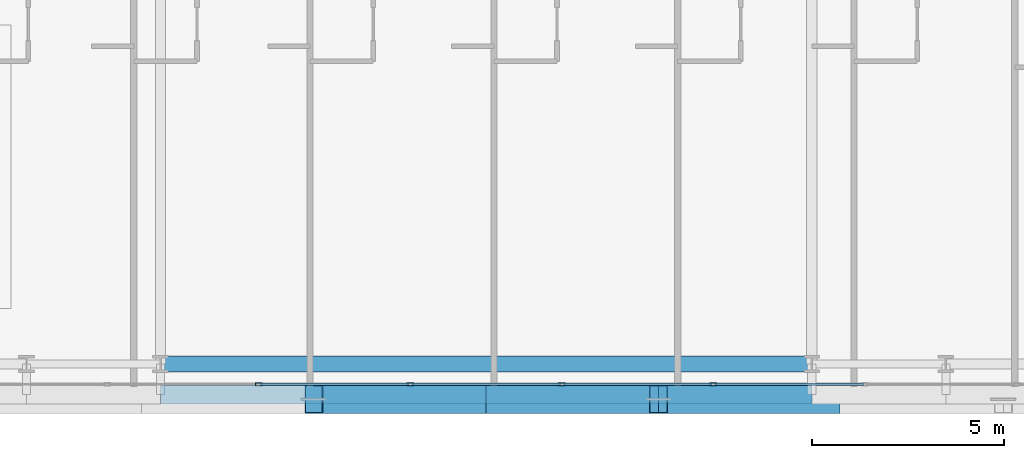
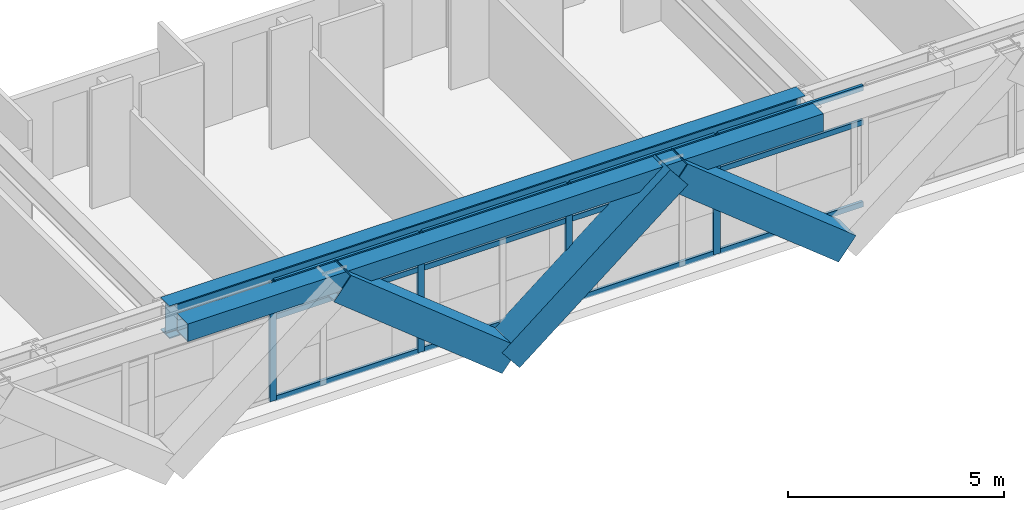
# One storey, part 5 of 36: 19 members, 2 beams, 1 element without a shape of its own.
"""IFC4 building model written with IfcOpenShell, lengths in metres."""

from ifc_helpers import new_model, si_unit, direction, frame, origin, origin_2d, place, context, subcontext, project, spatial, hollow_rectangle, i_section, extrude, source, transform, mapped, material, layer, layer_set, material_profile, profile_set, type_object, element, aggregate, save


model = new_model("IFC4")

# Units and contexts
model_context = context("Model", 3, precision=1e-05, world=origin(), true_north=direction((0.0, 1.0)))
body_context = subcontext(model_context, "Body", "Model", "MODEL_VIEW")
ifc_project = project(units=[si_unit("LENGTHUNIT", "METRE"), si_unit("AREAUNIT", "SQUARE_METRE"), si_unit("VOLUMEUNIT", "CUBIC_METRE"), si_unit("PLANEANGLEUNIT", "RADIAN"), si_unit("MASSUNIT", "GRAM", prefix="KILO")], contexts=[model_context])

# Site, building, storey
site_placement = place(None, origin())
site = spatial("IfcSite", under=ifc_project, at=site_placement, CompositionType="ELEMENT")
building_placement = place(site_placement, origin())
building = spatial("IfcBuilding", under=site, at=building_placement, Name="Ocotamira Hotel", CompositionType="ELEMENT")
storey_placement = place(building_placement, frame((0.0, 0.0, 97.199951171875)))
storey = spatial("IfcBuildingStorey", under=building, at=storey_placement, Name="L23", CompositionType="ELEMENT", Elevation=97.199951171875)

# Beams
ifc_material_1 = material(Name="Steel ASTM A992 Grade 50", Category="steel")
ifc_material_profile_1 = material_profile(ifc_material_1, i_section(OverallWidth=0.41796875, OverallDepth=0.927001953125, WebThickness=0.019287109375, FlangeThickness=0.031982421875, FilletRadius=0.02392578125, at=origin_2d()), Name="W36X231")
ifc_profile_set_1 = profile_set([ifc_material_profile_1], Name="Steel ASTM A992 Grade 50")
beam_type_1 = type_object("IfcBeamType", Name="BM-GIRD-W36X231", PredefinedType="BEAM", material=ifc_profile_set_1)
shared_shape_1 = source(origin(), body_context, "Body", "SweptSolid", [
    extrude(i_section(OverallWidth=0.41796875, OverallDepth=0.927001953125, WebThickness=0.019287109375, FlangeThickness=0.031982421875, FilletRadius=0.02392578125, at=origin_2d()), origin(), (0.0, 0.0, 1.0), 17.0),
])
beam_1_placement = place(storey_placement, frame((23.5, 2.949951171875, 2.896484375), z_axis=(1.0, 0.0, 0.0), x_axis=(0.0, 1.0, 0.0)))
element("IfcBeam", 1, at=beam_1_placement, inside=storey, type_object=beam_type_1, Name="L23 Girder Y2.95 X23.5-40.5", PredefinedType="BEAM", context=body_context, shape_type="MappedRepresentation", body=[
    mapped(shared_shape_1, transform((0.0, 0.0, 0.0), scale=1.0)),
])
ifc_material_2 = material(Name="Steel ASTM A500 Grade C", Category="steel")
ifc_material_profile_2 = material_profile(ifc_material_2, hollow_rectangle(XDim=0.5, YDim=0.5, WallThickness=0.02001953125, at=origin_2d()), Name="HSS500X500X20")
ifc_profile_set_2 = profile_set([ifc_material_profile_2], Name="Steel ASTM A500 Grade C")
beam_type_2 = type_object("IfcBeamType", Name="BM-SPAN-HSS500", PredefinedType="USERDEFINED", material=ifc_profile_set_2)
shared_shape_2 = source(origin(), body_context, "Body", "SweptSolid", [
    extrude(hollow_rectangle(XDim=0.5, YDim=0.5, WallThickness=0.02001953125, at=origin_2d()), origin(), (0.0, 0.0, 1.0), 17.0),
])
beam_2_placement = place(storey_placement, frame((23.5, 2.14990234375, 3.110107421875), z_axis=(1.0, 0.0, 0.0), x_axis=(0.0, 1.0, 0.0)))
element("IfcBeam", 2, at=beam_2_placement, inside=storey, type_object=beam_type_2, Name="L23 Edge Spandrel S X23.5-40.5", ObjectType="SPANDREL", PredefinedType="USERDEFINED", context=body_context, shape_type="MappedRepresentation", body=[
    mapped(shared_shape_2, transform((0.0, 0.0, 0.0), scale=1.0)),
])

# Members
ifc_material_3 = material(Name="Pale-metal coated steel ASTM A913 Grade 65", Category="steel")
ifc_material_profile_3 = material_profile(ifc_material_3, hollow_rectangle(XDim=0.75, YDim=0.75, WallThickness=0.028076171875, at=origin_2d()), Name="BOX750X750X28")
ifc_profile_set_3 = profile_set([ifc_material_profile_3], Name="Pale-metal coated steel ASTM A913 Grade 65")
member_type_1 = type_object("IfcMemberType", Name="MEM-EXO-BOX750", PredefinedType="BRACE", material=ifc_profile_set_3)
shared_shape_3 = source(origin(), body_context, "Body", "SweptSolid", [
    extrude(hollow_rectangle(XDim=0.75, YDim=0.75, WallThickness=0.028076171875, at=origin_2d()), origin(), (0.0, 0.0, 1.0), 5.762939453125),
])
for number, where, z_axis, x_axis, name in (
    (3, (32.0, 2.030029296875, -0.489990234375), (-0.780860543151, 0.0, 0.624705380279), (0.0, -1.0, 0.0), "L23 Exoskeleton Diagrid S1.2"),
    (4, (32.0, 2.030029296875, -0.489990234375), (0.780860543151, 0.0, 0.624705380279), (0.0, 1.0, 0.0), "L23 Exoskeleton Diagrid S2.1"),
    (5, (41.0, 2.030029296875, -0.489990234375), (-0.780860543151, 0.0, 0.624705380279), (0.0, -1.0, 0.0), "L23 Exoskeleton Diagrid S2.2"),
):
    element("IfcMember", number, at=place(storey_placement, frame(where, z_axis=z_axis, x_axis=x_axis)), inside=storey, type_object=member_type_1, Name=name, PredefinedType="BRACE", context=body_context, shape_type="MappedRepresentation", body=[
        mapped(shared_shape_3, transform((0.0, 0.0, 0.0), scale=1.0)),
    ])

# Curtain wall, members
ifc_material_4 = material(Name="Anodised pale-metal aluminium and solar glass", Category="aluminium")
ifc_layer = layer(ifc_material_4, 0.179931640625)
ifc_layer_set = layer_set([ifc_layer], Name="Anodised pale-metal aluminium and solar glass")
curtain_wall_type = type_object("IfcCurtainWallType", Name="CW-SYS3-Z2", PredefinedType="NOTDEFINED", material=ifc_layer_set)
curtain_wall_placement = place(storey_placement, origin())
curtain_wall = element("IfcCurtainWall", 6, at=curtain_wall_placement, inside=storey, type_object=curtain_wall_type, Name="L23 Curtain Wall CW-3 CW-L23-S1", PredefinedType="NOTDEFINED")
ifc_material_5 = material(Name="Anodised pale-metal aluminium 6063-T6", Category="aluminium")
ifc_material_profile_4 = material_profile(ifc_material_5, hollow_rectangle(XDim=0.074951171875, YDim=0.14990234375, WallThickness=0.006103515625, at=origin_2d()), Name="HSS150X75X6")
ifc_profile_set_4 = profile_set([ifc_material_profile_4], Name="Anodised pale-metal aluminium 6063-T6")
member_type_2 = type_object("IfcMemberType", Name="CWT-150X75", PredefinedType="USERDEFINED", material=ifc_profile_set_4)
shared_shape_4 = source(origin(), body_context, "Body", "SweptSolid", [
    extrude(hollow_rectangle(XDim=0.074951171875, YDim=0.14990234375, WallThickness=0.006103515625, at=origin_2d()), origin(), (0.0, 0.0, 1.0), 3.87548828125),
])
member_1_placement = place(storey_placement, frame((26.106689453125, 2.419921875, 0.03759765625), z_axis=(1.0, 0.0, 0.0), x_axis=(0.0, 1.0, 0.0)))
member_1 = element("IfcMember", 7, at=member_1_placement, type_object=member_type_2, Name="CW-3 transom 4.1", ObjectType="TRANSOM", PredefinedType="USERDEFINED", context=body_context, shape_type="MappedRepresentation", body=[
    mapped(shared_shape_4, transform((0.0, 0.0, 0.0), scale=1.0)),
])
member_2_placement = place(storey_placement, frame((26.106689453125, 2.419921875, 2.35009765625), z_axis=(1.0, 0.0, 0.0), x_axis=(0.0, 1.0, 0.0)))
member_2 = element("IfcMember", 8, at=member_2_placement, type_object=member_type_2, Name="CW-3 transom 4.2", ObjectType="TRANSOM", PredefinedType="USERDEFINED", context=body_context, shape_type="MappedRepresentation", body=[
    mapped(shared_shape_4, transform((0.0, 0.0, 0.0), scale=1.0)),
])
member_3_placement = place(storey_placement, frame((26.106689453125, 2.419921875, 3.322509765625), z_axis=(1.0, 0.0, 0.0), x_axis=(0.0, 1.0, 0.0)))
member_3 = element("IfcMember", 9, at=member_3_placement, type_object=member_type_2, Name="CW-3 transom 4.3", ObjectType="TRANSOM", PredefinedType="USERDEFINED", context=body_context, shape_type="MappedRepresentation", body=[
    mapped(shared_shape_4, transform((0.0, 0.0, 0.0), scale=1.0)),
])
member_4_placement = place(storey_placement, frame((30.062255859375, 2.419921875, 0.03759765625), z_axis=(1.0, 0.0, 0.0), x_axis=(0.0, 1.0, 0.0)))
member_4 = element("IfcMember", 10, at=member_4_placement, type_object=member_type_2, Name="CW-3 transom 5.1", ObjectType="TRANSOM", PredefinedType="USERDEFINED", context=body_context, shape_type="MappedRepresentation", body=[
    mapped(shared_shape_4, transform((0.0, 0.0, 0.0), scale=1.0)),
])
member_5_placement = place(storey_placement, frame((30.062255859375, 2.419921875, 2.35009765625), z_axis=(1.0, 0.0, 0.0), x_axis=(0.0, 1.0, 0.0)))
member_5 = element("IfcMember", 11, at=member_5_placement, type_object=member_type_2, Name="CW-3 transom 5.2", ObjectType="TRANSOM", PredefinedType="USERDEFINED", context=body_context, shape_type="MappedRepresentation", body=[
    mapped(shared_shape_4, transform((0.0, 0.0, 0.0), scale=1.0)),
])
member_6_placement = place(storey_placement, frame((30.062255859375, 2.419921875, 3.322509765625), z_axis=(1.0, 0.0, 0.0), x_axis=(0.0, 1.0, 0.0)))
member_6 = element("IfcMember", 12, at=member_6_placement, type_object=member_type_2, Name="CW-3 transom 5.3", ObjectType="TRANSOM", PredefinedType="USERDEFINED", context=body_context, shape_type="MappedRepresentation", body=[
    mapped(shared_shape_4, transform((0.0, 0.0, 0.0), scale=1.0)),
])
member_7_placement = place(storey_placement, frame((34.017822265625, 2.419921875, 0.03759765625), z_axis=(1.0, 0.0, 0.0), x_axis=(0.0, 1.0, 0.0)))
member_7 = element("IfcMember", 13, at=member_7_placement, type_object=member_type_2, Name="CW-3 transom 6.1", ObjectType="TRANSOM", PredefinedType="USERDEFINED", context=body_context, shape_type="MappedRepresentation", body=[
    mapped(shared_shape_4, transform((0.0, 0.0, 0.0), scale=1.0)),
])
member_8_placement = place(storey_placement, frame((34.017822265625, 2.419921875, 2.35009765625), z_axis=(1.0, 0.0, 0.0), x_axis=(0.0, 1.0, 0.0)))
member_8 = element("IfcMember", 14, at=member_8_placement, type_object=member_type_2, Name="CW-3 transom 6.2", ObjectType="TRANSOM", PredefinedType="USERDEFINED", context=body_context, shape_type="MappedRepresentation", body=[
    mapped(shared_shape_4, transform((0.0, 0.0, 0.0), scale=1.0)),
])
member_9_placement = place(storey_placement, frame((34.017822265625, 2.419921875, 3.322509765625), z_axis=(1.0, 0.0, 0.0), x_axis=(0.0, 1.0, 0.0)))
member_9 = element("IfcMember", 15, at=member_9_placement, type_object=member_type_2, Name="CW-3 transom 6.3", ObjectType="TRANSOM", PredefinedType="USERDEFINED", context=body_context, shape_type="MappedRepresentation", body=[
    mapped(shared_shape_4, transform((0.0, 0.0, 0.0), scale=1.0)),
])
member_10_placement = place(storey_placement, frame((37.973388671875, 2.419921875, 0.03759765625), z_axis=(1.0, 0.0, 0.0), x_axis=(0.0, 1.0, 0.0)))
member_10 = element("IfcMember", 16, at=member_10_placement, type_object=member_type_2, Name="CW-3 transom 7.1", ObjectType="TRANSOM", PredefinedType="USERDEFINED", context=body_context, shape_type="MappedRepresentation", body=[
    mapped(shared_shape_4, transform((0.0, 0.0, 0.0), scale=1.0)),
])
member_11_placement = place(storey_placement, frame((37.973388671875, 2.419921875, 2.35009765625), z_axis=(1.0, 0.0, 0.0), x_axis=(0.0, 1.0, 0.0)))
member_11 = element("IfcMember", 17, at=member_11_placement, type_object=member_type_2, Name="CW-3 transom 7.2", ObjectType="TRANSOM", PredefinedType="USERDEFINED", context=body_context, shape_type="MappedRepresentation", body=[
    mapped(shared_shape_4, transform((0.0, 0.0, 0.0), scale=1.0)),
])
member_12_placement = place(storey_placement, frame((37.973388671875, 2.419921875, 3.322509765625), z_axis=(1.0, 0.0, 0.0), x_axis=(0.0, 1.0, 0.0)))
member_12 = element("IfcMember", 18, at=member_12_placement, type_object=member_type_2, Name="CW-3 transom 7.3", ObjectType="TRANSOM", PredefinedType="USERDEFINED", context=body_context, shape_type="MappedRepresentation", body=[
    mapped(shared_shape_4, transform((0.0, 0.0, 0.0), scale=1.0)),
])
ifc_material_profile_5 = material_profile(ifc_material_5, hollow_rectangle(XDim=0.080078125, YDim=0.179931640625, WallThickness=0.006103515625, at=origin_2d()), Name="HSS180X80X6")
ifc_profile_set_5 = profile_set([ifc_material_profile_5], Name="Anodised pale-metal aluminium 6063-T6")
member_type_3 = type_object("IfcMemberType", Name="CWM-180X75", PredefinedType="MULLION", material=ifc_profile_set_5)
shared_shape_5 = source(origin(), body_context, "Body", "SweptSolid", [
    extrude(hollow_rectangle(XDim=0.080078125, YDim=0.179931640625, WallThickness=0.006103515625, at=origin_2d()), origin(), (0.0, 0.0, 1.0), 3.360107421875),
])
member_13_placement = place(storey_placement, frame((26.066650390625, 2.419921875, 0.0), z_axis=(0.0, 0.0, 1.0), x_axis=(0.0, 1.0, 0.0)))
member_13 = element("IfcMember", 19, at=member_13_placement, type_object=member_type_3, Name="CW-3 mullion 4", PredefinedType="MULLION", context=body_context, shape_type="MappedRepresentation", body=[
    mapped(shared_shape_5, transform((0.0, 0.0, 0.0), scale=1.0)),
])
member_14_placement = place(storey_placement, frame((30.022216796875, 2.419921875, 0.0), z_axis=(0.0, 0.0, 1.0), x_axis=(0.0, 1.0, 0.0)))
member_14 = element("IfcMember", 20, at=member_14_placement, type_object=member_type_3, Name="CW-3 mullion 5", PredefinedType="MULLION", context=body_context, shape_type="MappedRepresentation", body=[
    mapped(shared_shape_5, transform((0.0, 0.0, 0.0), scale=1.0)),
])
member_15_placement = place(storey_placement, frame((33.977783203125, 2.419921875, 0.0), z_axis=(0.0, 0.0, 1.0), x_axis=(0.0, 1.0, 0.0)))
member_15 = element("IfcMember", 21, at=member_15_placement, type_object=member_type_3, Name="CW-3 mullion 6", PredefinedType="MULLION", context=body_context, shape_type="MappedRepresentation", body=[
    mapped(shared_shape_5, transform((0.0, 0.0, 0.0), scale=1.0)),
])
member_16_placement = place(storey_placement, frame((37.933349609375, 2.419921875, 0.0), z_axis=(0.0, 0.0, 1.0), x_axis=(0.0, 1.0, 0.0)))
member_16 = element("IfcMember", 22, at=member_16_placement, type_object=member_type_3, Name="CW-3 mullion 7", PredefinedType="MULLION", context=body_context, shape_type="MappedRepresentation", body=[
    mapped(shared_shape_5, transform((0.0, 0.0, 0.0), scale=1.0)),
])
aggregate(curtain_wall, [member_13, member_14, member_15, member_16, member_1, member_2, member_3, member_4, member_5, member_6, member_7, member_8, member_9, member_10, member_11, member_12])

save(model, "model.ifc")
